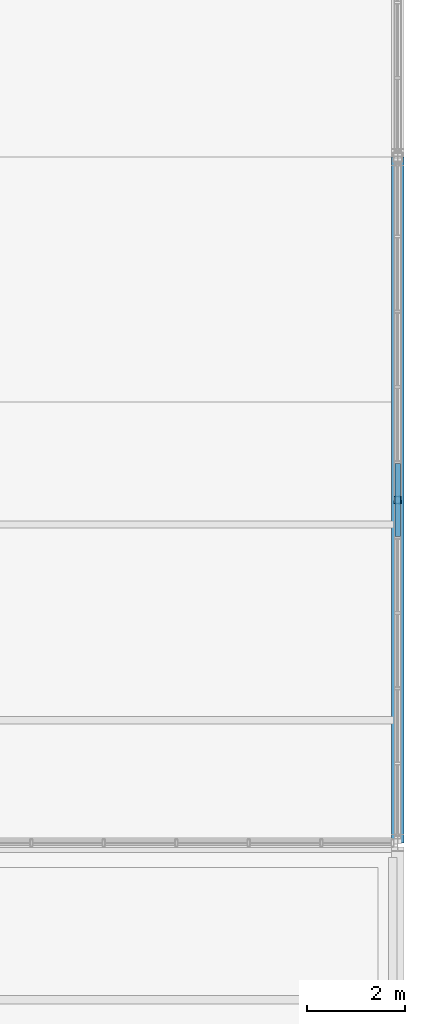
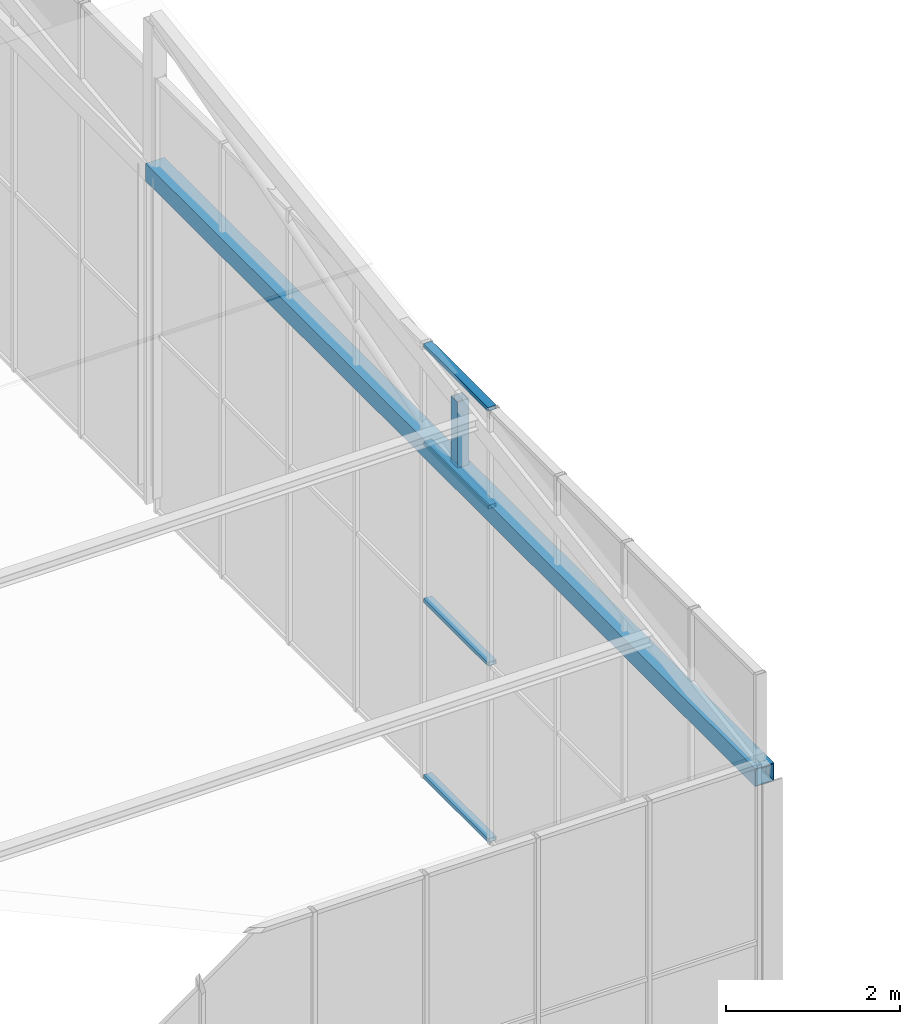
# One storey, part 63 of 104: 6 members, 1 element without a shape of its own.
"""IFC4 building model written with IfcOpenShell, lengths in metres."""

from ifc_helpers import new_model, si_unit, direction, frame, origin, origin_2d, place, context, subcontext, project, spatial, hollow_rectangle, extrude, material, layer, layer_set, material_profile, profile_set, type_object, element, aggregate, save


model = new_model("IFC4")

# Units and contexts
model_context = context("Model", 3, precision=1e-05, world=origin(), true_north=direction((0.0, 1.0)))
body_context = subcontext(model_context, "Body", "Model", "MODEL_VIEW")
ifc_project = project(units=[si_unit("LENGTHUNIT", "METRE"), si_unit("AREAUNIT", "SQUARE_METRE"), si_unit("VOLUMEUNIT", "CUBIC_METRE"), si_unit("PLANEANGLEUNIT", "RADIAN"), si_unit("MASSUNIT", "GRAM", prefix="KILO")], contexts=[model_context])

# Site, building, storey
site_placement = place(None, origin())
site = spatial("IfcSite", under=ifc_project, at=site_placement, CompositionType="ELEMENT")
building_placement = place(site_placement, origin())
building = spatial("IfcBuilding", under=site, at=building_placement, Name="Solvenia Promenade Tram Depot", CompositionType="ELEMENT")
storey_placement = place(building_placement, frame((0.0, 0.0, 9.0)))
storey = spatial("IfcBuildingStorey", under=building, at=storey_placement, Name="L02", CompositionType="ELEMENT", Elevation=9.0)

# Curtain wall, members
ifc_material_1 = material(Name="Anodized aluminium AW-6063 T6", Category="aluminium")
ifc_layer = layer(ifc_material_1, 0.080078125, Name="Anodized aluminium AW-6063 T6", Category="aluminium")
ifc_layer_set = layer_set([ifc_layer], Name="Anodized aluminium AW-6063 T6")
curtain_wall_type = type_object("IfcCurtainWallType", Name="CW-Clerest-1500", PredefinedType="NOTDEFINED", material=ifc_layer_set)
curtain_wall_placement = place(storey_placement, origin())
curtain_wall = element("IfcCurtainWall", 1, at=curtain_wall_placement, inside=storey, type_object=curtain_wall_type, Name="Curtain Wall CW-V2E-L2-1", PredefinedType="NOTDEFINED")
ifc_material_profile_1 = material_profile(ifc_material_1, hollow_rectangle(XDim=0.110107421875, YDim=0.054931640625, WallThickness=0.00390625, at=origin_2d()), Name="ALU-T4", Category="aluminium")
ifc_profile_set_1 = profile_set([ifc_material_profile_1], Name="Anodized aluminium AW-6063 T6")
member_type_1 = type_object("IfcMemberType", Name="CWT-Transom-4", PredefinedType="USERDEFINED", material=ifc_profile_set_1)
member_1_placement = place(storey_placement, frame((186.0, 30.258544921875, -0.222412109375), z_axis=(0.0, 1.0, 0.0), x_axis=(-1.0, 0.0, 0.0)))
member_1 = element("IfcMember", 2, at=member_1_placement, type_object=member_type_1, Name="CW-4 transom 5.1", ObjectType="TRANSOM", PredefinedType="USERDEFINED", context=body_context, shape_type="SweptSolid", body=[
    extrude(hollow_rectangle(XDim=0.110107421875, YDim=0.054931640625, WallThickness=0.00390625, at=origin_2d()), origin(), (0.0, 0.0, 1.0), 1.48291015625),
])
member_2_placement = place(storey_placement, frame((186.0, 30.258544921875, 2.25), z_axis=(0.0, 1.0, 0.0), x_axis=(-1.0, 0.0, 0.0)))
member_2 = element("IfcMember", 3, at=member_2_placement, type_object=member_type_1, Name="CW-4 transom 5.2", ObjectType="TRANSOM", PredefinedType="USERDEFINED", context=body_context, shape_type="SweptSolid", body=[
    extrude(hollow_rectangle(XDim=0.110107421875, YDim=0.054931640625, WallThickness=0.00390625, at=origin_2d()), origin(), (0.0, 0.0, 1.0), 1.48291015625),
])
member_3_placement = place(storey_placement, frame((186.0, 30.258544921875, 4.449951171875), z_axis=(0.0, 1.0, 0.0), x_axis=(-1.0, 0.0, 0.0)))
member_3 = element("IfcMember", 4, at=member_3_placement, type_object=member_type_1, Name="CW-4 transom 5.3", ObjectType="TRANSOM", PredefinedType="USERDEFINED", context=body_context, shape_type="SweptSolid", body=[
    extrude(hollow_rectangle(XDim=0.110107421875, YDim=0.054931640625, WallThickness=0.00390625, at=origin_2d()), origin(), (0.0, 0.0, 1.0), 1.48291015625),
])
member_4_placement = place(storey_placement, frame((186.0, 30.258544921875, 5.822509765625), z_axis=(0.0, 1.0, 0.0), x_axis=(-1.0, 0.0, 0.0)))
member_4 = element("IfcMember", 5, at=member_4_placement, type_object=member_type_1, Name="CW-4 transom 5.4", ObjectType="TRANSOM", PredefinedType="USERDEFINED", context=body_context, shape_type="SweptSolid", body=[
    extrude(hollow_rectangle(XDim=0.110107421875, YDim=0.054931640625, WallThickness=0.00390625, at=origin_2d()), origin(), (0.0, 0.0, 1.0), 1.48291015625),
])
aggregate(curtain_wall, [member_1, member_2, member_3, member_4])

# Members
ifc_material_2 = material(Name="Structural steel ASTM A500 Gr. C", Category="steel")
ifc_material_profile_2 = material_profile(ifc_material_2, hollow_rectangle(XDim=0.25, YDim=0.25, WallThickness=0.010009765625, at=origin_2d()), Name="HSS250x250x10", Category="steel")
ifc_profile_set_2 = profile_set([ifc_material_profile_2], Name="Structural steel ASTM A500 Gr. C")
member_type_2 = type_object("IfcMemberType", Name="Chord-HSS250x250x10", PredefinedType="CHORD", material=ifc_profile_set_2)
member_5_placement = place(storey_placement, frame((186.0, 24.0, 4.47998046875), z_axis=(0.0, 1.0, 0.0), x_axis=(-1.0, 0.0, 0.0)))
element("IfcMember", 6, at=member_5_placement, inside=storey, type_object=member_type_2, Name="Crane Hall Truss Bottom Tie 10", PredefinedType="CHORD", context=body_context, shape_type="SweptSolid", body=[
    extrude(hollow_rectangle(XDim=0.25, YDim=0.25, WallThickness=0.010009765625, at=origin_2d()), origin(), (0.0, 0.0, 1.0), 14.0),
])
ifc_material_profile_3 = material_profile(ifc_material_2, hollow_rectangle(XDim=0.14990234375, YDim=0.14990234375, WallThickness=0.008056640625, at=origin_2d()), Name="HSS150x150x8", Category="steel")
ifc_profile_set_3 = profile_set([ifc_material_profile_3], Name="Structural steel ASTM A500 Gr. C")
member_type_3 = type_object("IfcMemberType", Name="Post-HSS150x150x8", PredefinedType="POST", material=ifc_profile_set_3)
member_6_placement = place(storey_placement, frame((186.0, 31.0, 4.47998046875), z_axis=(0.0, 0.0, 1.0), x_axis=(1.0, 0.0, 0.0)))
element("IfcMember", 7, at=member_6_placement, inside=storey, type_object=member_type_3, Name="Crane Hall Mid Web Post 10", PredefinedType="POST", context=body_context, shape_type="SweptSolid", body=[
    extrude(hollow_rectangle(XDim=0.14990234375, YDim=0.14990234375, WallThickness=0.008056640625, at=origin_2d()), origin(), (0.0, 0.0, 1.0), 1.050048828125),
])

save(model, "model.ifc")
